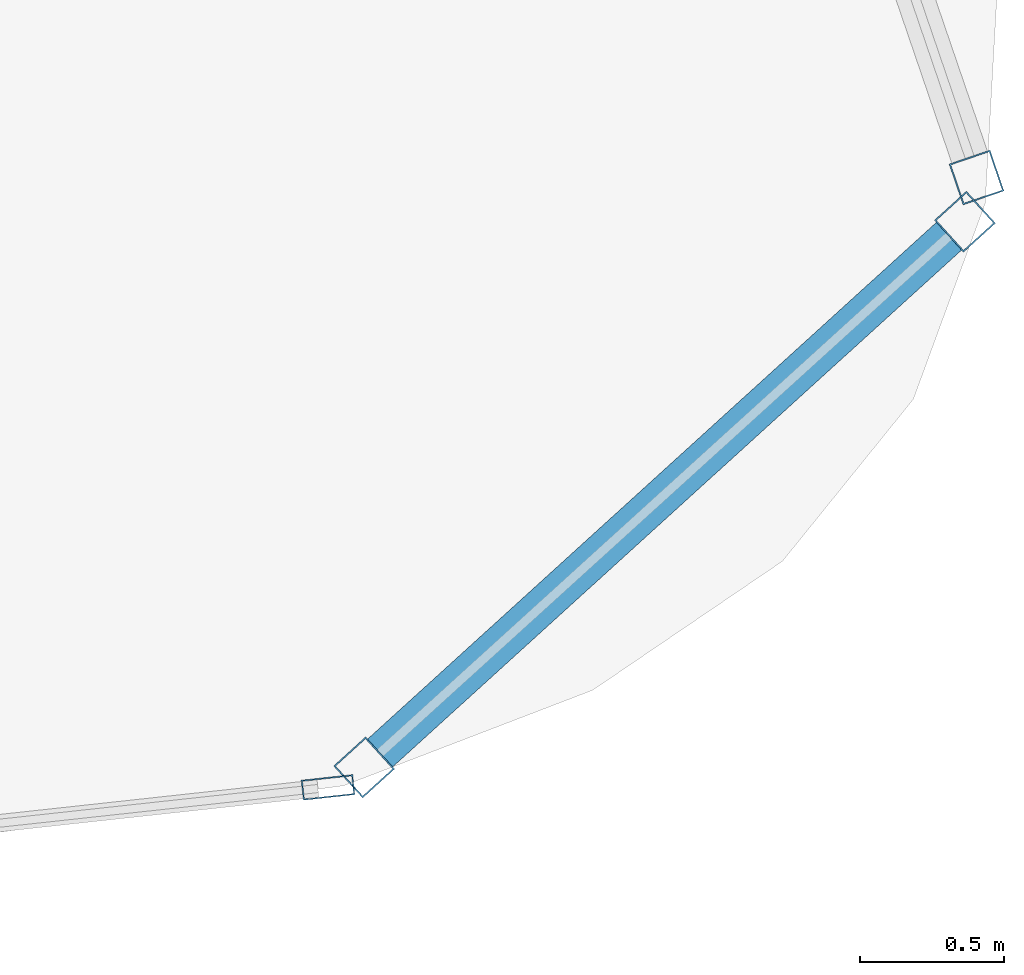
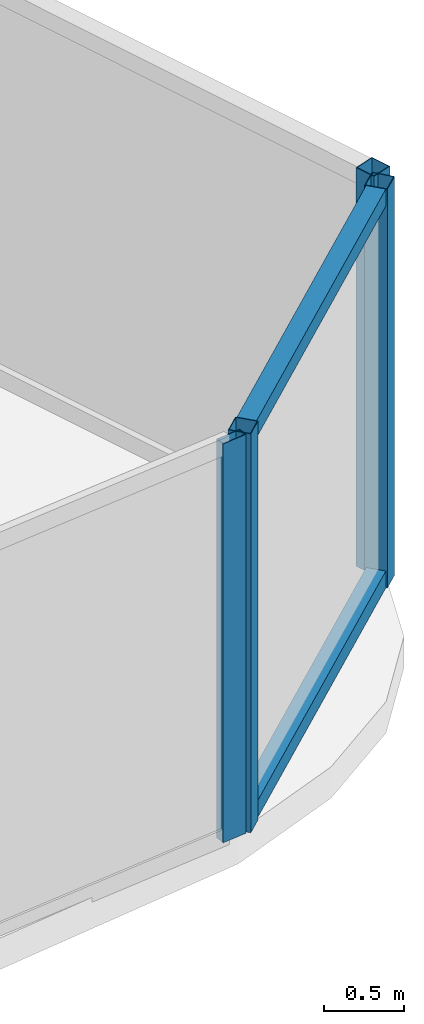
# One storey, part 15 of 33: 6 members, 3 elements without a shape of their own.
"""IFC4 building model written with IfcOpenShell, lengths in metres."""

from ifc_helpers import new_model, si_unit, direction, frame, origin, origin_2d, place, context, subcontext, project, spatial, hollow_rectangle, extrude, material, layer, layer_set, material_profile, profile_set, type_object, element, aggregate, save


model = new_model("IFC4")

# Units and contexts
model_context = context("Model", 3, precision=1e-05, world=origin(), true_north=direction((0.0, 1.0)))
body_context = subcontext(model_context, "Body", "Model", "MODEL_VIEW")
ifc_project = project(units=[si_unit("LENGTHUNIT", "METRE"), si_unit("AREAUNIT", "SQUARE_METRE"), si_unit("VOLUMEUNIT", "CUBIC_METRE"), si_unit("PLANEANGLEUNIT", "RADIAN"), si_unit("MASSUNIT", "GRAM", prefix="KILO")], contexts=[model_context])

# Site, building, storey
site_placement = place(None, origin())
site = spatial("IfcSite", under=ifc_project, at=site_placement, CompositionType="ELEMENT")
building_placement = place(site_placement, origin())
building = spatial("IfcBuilding", under=site, at=building_placement, Name="Orvanel Arch Residences", CompositionType="ELEMENT")
storey_placement = place(building_placement, frame((0.0, 0.0, 87.35009765625)))
storey = spatial("IfcBuildingStorey", under=building, at=storey_placement, Name="L24", CompositionType="ELEMENT", Elevation=87.35009765625)

# Curtain wall, members
ifc_material = material(Name="Bronze-anodised aluminium AA6063-T6", Category="aluminium")
ifc_layer_1 = layer(ifc_material, 0.18994140625)
ifc_layer_set_1 = layer_set([ifc_layer_1], Name="Bronze-anodised aluminium AA6063-T6")
curtain_wall_type_1 = type_object("IfcCurtainWallType", Name="CW5-CRN-SYS", PredefinedType="NOTDEFINED", material=ifc_layer_set_1)
curtain_wall_1_placement = place(storey_placement, origin())
curtain_wall_1 = element("IfcCurtainWall", 1, at=curtain_wall_1_placement, inside=storey, type_object=curtain_wall_type_1, Name="L24 CW5-CRN-SYS Unitised Curtain Wall", PredefinedType="NOTDEFINED")
ifc_material_profile_1 = material_profile(ifc_material, hollow_rectangle(XDim=0.14990234375, YDim=0.14990234375, WallThickness=0.0048828125, at=origin_2d()), Name="ALU150x150x5")
ifc_profile_set_1 = profile_set([ifc_material_profile_1], Name="Bronze-anodised aluminium AA6063-T6")
member_type_1 = type_object("IfcMemberType", Name="MUL-150x150", PredefinedType="MULLION", material=ifc_profile_set_1)
member_1_placement = place(storey_placement, frame((58.199462890625, 4.386474609375, 0.0), z_axis=(0.0, 0.0, 1.0), x_axis=(-0.672387273249, 0.740199537134, 0.0)))
member_1 = element("IfcMember", 2, at=member_1_placement, type_object=member_type_1, Name="CW-S5 mullion 1", PredefinedType="MULLION", context=body_context, shape_type="SweptSolid", body=[
    extrude(hollow_rectangle(XDim=0.14990234375, YDim=0.14990234375, WallThickness=0.0048828125, at=origin_2d()), origin(), (0.0, 0.0, 1.0), 3.059814453125),
])
member_2_placement = place(storey_placement, frame((60.282470703125, 6.278564453125, 0.0), z_axis=(0.0, 0.0, 1.0), x_axis=(-0.672387273249, 0.740199537134, 0.0)))
member_2 = element("IfcMember", 3, at=member_2_placement, type_object=member_type_1, Name="CW-S5 mullion 2", PredefinedType="MULLION", context=body_context, shape_type="SweptSolid", body=[
    extrude(hollow_rectangle(XDim=0.14990234375, YDim=0.14990234375, WallThickness=0.0048828125, at=origin_2d()), origin(), (0.0, 0.0, 1.0), 3.059814453125),
])

# Curtain wall, member
curtain_wall_2_placement = place(storey_placement, origin())
curtain_wall_2 = element("IfcCurtainWall", 4, at=curtain_wall_2_placement, inside=storey, type_object=curtain_wall_type_1, Name="L24 CW5-CRN-SYS Unitised Curtain Wall", PredefinedType="NOTDEFINED")
member_3_placement = place(storey_placement, frame((60.32275390625, 6.431884765625, 0.0), z_axis=(0.0, 0.0, 1.0), x_axis=(-0.946249453403, -0.32343774043, 0.0)))
member_3 = element("IfcMember", 5, at=member_3_placement, type_object=member_type_1, Name="CW-S5 mullion 1", PredefinedType="MULLION", context=body_context, shape_type="SweptSolid", body=[
    extrude(hollow_rectangle(XDim=0.14990234375, YDim=0.14990234375, WallThickness=0.0048828125, at=origin_2d()), origin(), (0.0, 0.0, 1.0), 3.059814453125),
])
aggregate(curtain_wall_2, [member_3])

ifc_layer_2 = layer(ifc_material, 0.179931640625)
ifc_layer_set_2 = layer_set([ifc_layer_2], Name="Bronze-anodised aluminium AA6063-T6")
curtain_wall_type_2 = type_object("IfcCurtainWallType", Name="CW2-LOW-SYS", PredefinedType="NOTDEFINED", material=ifc_layer_set_2)
curtain_wall_3_placement = place(storey_placement, origin())
curtain_wall_3 = element("IfcCurtainWall", 6, at=curtain_wall_3_placement, inside=storey, type_object=curtain_wall_type_2, Name="L24 CW2-LOW-SYS Unitised Curtain Wall", PredefinedType="NOTDEFINED")
ifc_material_profile_2 = material_profile(ifc_material, hollow_rectangle(XDim=0.070068359375, YDim=0.179931640625, WallThickness=0.00439453125, at=origin_2d()), Name="ALU180x70x4.5")
ifc_profile_set_2 = profile_set([ifc_material_profile_2], Name="Bronze-anodised aluminium AA6063-T6")
member_type_2 = type_object("IfcMemberType", Name="MUL-180x70", PredefinedType="MULLION", material=ifc_profile_set_2)
member_4_placement = place(storey_placement, frame((58.07421875, 4.317138671875, 0.0), z_axis=(0.0, 0.0, 1.0), x_axis=(-0.108307893213, 0.994117397629, 0.0)))
member_4 = element("IfcMember", 7, at=member_4_placement, type_object=member_type_2, Name="CW-S2 mullion 4", PredefinedType="MULLION", context=body_context, shape_type="SweptSolid", body=[
    extrude(hollow_rectangle(XDim=0.070068359375, YDim=0.179931640625, WallThickness=0.00439453125, at=origin_2d()), origin(), (0.0, 0.0, 1.0), 3.059814453125),
])
aggregate(curtain_wall_3, [member_4])

# Member
ifc_material_profile_3 = material_profile(ifc_material, hollow_rectangle(XDim=0.1298828125, YDim=0.1298828125, WallThickness=0.00439453125, at=origin_2d()), Name="ALU130x130x4.5")
ifc_profile_set_3 = profile_set([ifc_material_profile_3], Name="Bronze-anodised aluminium AA6063-T6")
member_type_3 = type_object("IfcMemberType", Name="TRN-130x130", PredefinedType="USERDEFINED", material=ifc_profile_set_3)
member_5_placement = place(storey_placement, frame((58.255126953125, 4.436767578125, 0.06494140625), z_axis=(0.74020126261, 0.672385373749, 0.0), x_axis=(-0.672385373749, 0.74020126261, 0.0)))
member_5 = element("IfcMember", 8, at=member_5_placement, type_object=member_type_3, Name="CW-S5 transom 1.1", ObjectType="TRANSOM", PredefinedType="USERDEFINED", context=body_context, shape_type="SweptSolid", body=[
    extrude(hollow_rectangle(XDim=0.1298828125, YDim=0.1298828125, WallThickness=0.00439453125, at=origin_2d()), origin(), (0.0, 0.0, 1.0), 2.6640625),
])

member_6_placement = place(storey_placement, frame((58.255126953125, 4.436767578125, 2.994873046875), z_axis=(0.74020126261, 0.672385373749, 0.0), x_axis=(-0.672385373749, 0.74020126261, 0.0)))
member_6 = element("IfcMember", 9, at=member_6_placement, type_object=member_type_3, Name="CW-S5 transom 1.2", ObjectType="TRANSOM", PredefinedType="USERDEFINED", context=body_context, shape_type="SweptSolid", body=[
    extrude(hollow_rectangle(XDim=0.1298828125, YDim=0.1298828125, WallThickness=0.00439453125, at=origin_2d()), origin(), (0.0, 0.0, 1.0), 2.6640625),
])

aggregate(curtain_wall_1, [member_1, member_2, member_5, member_6])

save(model, "model.ifc")
